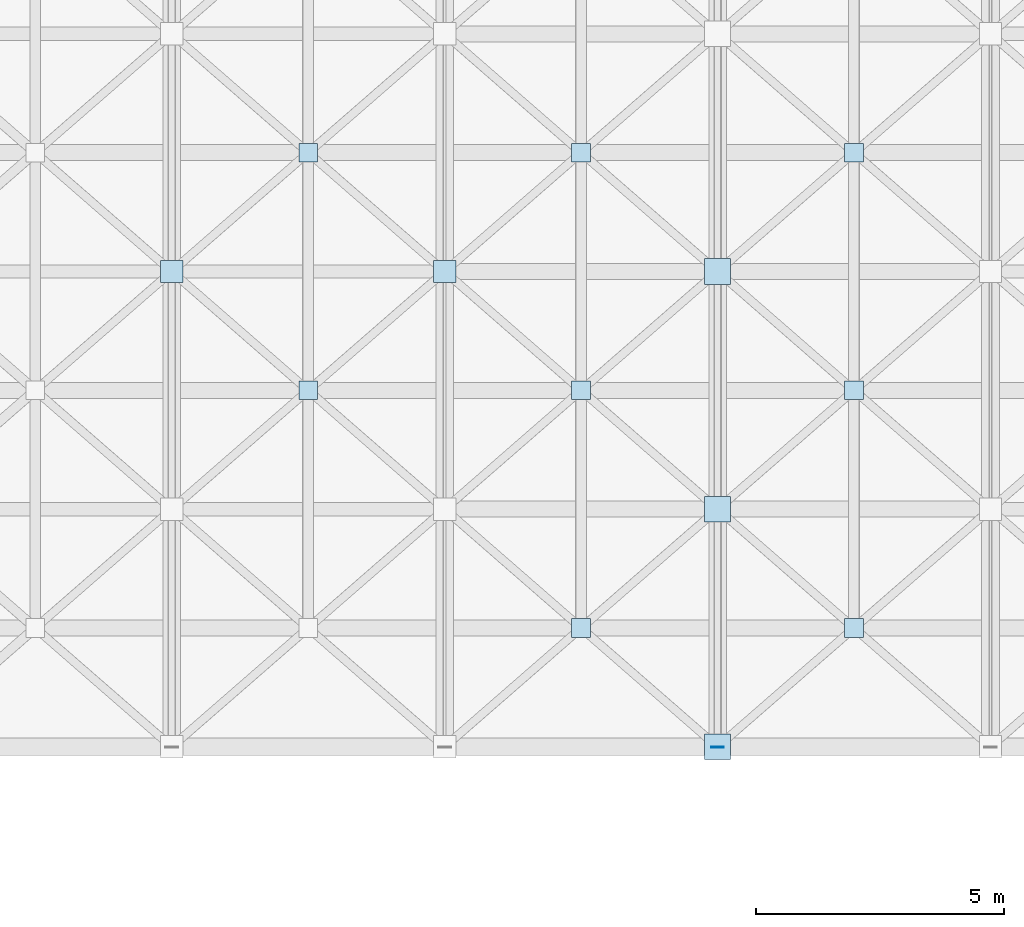
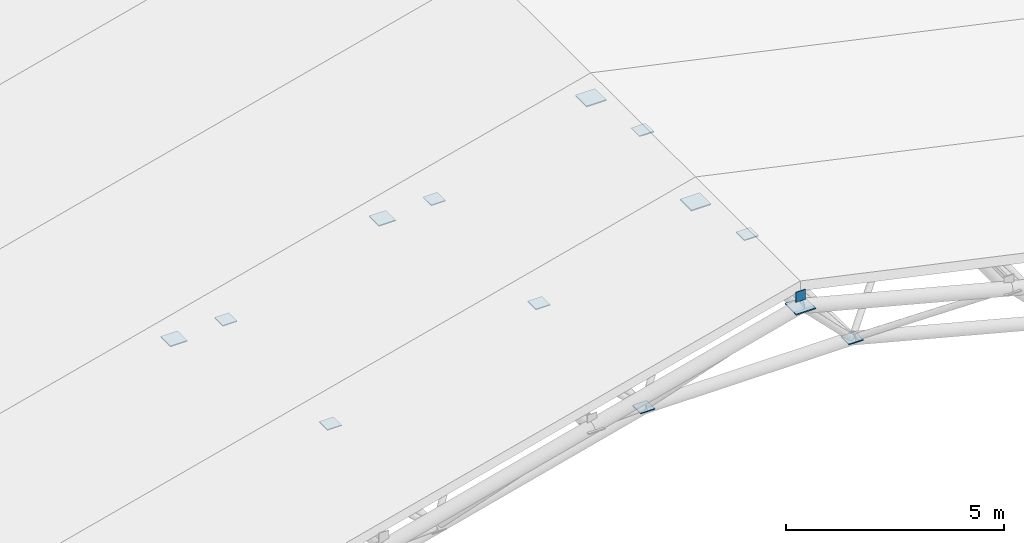
# One storey, part 44 of 60: 14 plates.
"""IFC4 building model written with IfcOpenShell, lengths in metres."""

from ifc_helpers import new_model, si_unit, direction, frame, origin, origin_2d, place, context, subcontext, project, spatial, rectangle, extrude, material, type_object, element, save


model = new_model("IFC4")

# Units and contexts
model_context = context("Model", 3, precision=1e-05, world=origin(), true_north=direction((0.0, 1.0)))
body_context = subcontext(model_context, "Body", "Model", "MODEL_VIEW")
ifc_project = project(units=[si_unit("LENGTHUNIT", "METRE"), si_unit("AREAUNIT", "SQUARE_METRE"), si_unit("VOLUMEUNIT", "CUBIC_METRE"), si_unit("PLANEANGLEUNIT", "RADIAN"), si_unit("MASSUNIT", "GRAM", prefix="KILO")], contexts=[model_context])

# Site, building, storey
site_placement = place(None, origin())
site = spatial("IfcSite", under=ifc_project, at=site_placement, CompositionType="ELEMENT")
building_placement = place(site_placement, origin())
building = spatial("IfcBuilding", under=site, at=building_placement, Name="Nakhvara Creek Congress Hotel", CompositionType="ELEMENT")
storey_placement = place(building_placement, frame((0.0, 0.0, 54.60009765625)))
storey = spatial("IfcBuildingStorey", under=building, at=storey_placement, Name="RL1", CompositionType="ELEMENT", Elevation=54.60009765625)

# Plates
ifc_material = material(Name="Steel S355J2", Category="steel")
plate_type_1 = type_object("IfcPlateType", Name="PLT-CAP-260X280X20", PredefinedType="USERDEFINED", material=ifc_material)
plate_placement = place(storey_placement, frame((31.199951171875, 33.590087890625, -29.13330078125), z_axis=(0.0, 0.0, 1.0), x_axis=(1.0, 0.0, 0.0)))
element("IfcPlate", 1, at=plate_placement, inside=storey, type_object=plate_type_1, Name="Congress Purlin End-Cap Plate SN08-05S", ObjectType="GUSSET_PLATE", PredefinedType="USERDEFINED", context=body_context, shape_type="SweptSolid", body=[
    extrude(rectangle(XDim=0.260009765625, YDim=0.02001953125, at=origin_2d()), origin(), (0.0, 0.0, 1.0), 0.280029296875),
])
plate_type_2 = type_object("IfcPlateType", Name="PLT-NODE-380X380X24", PredefinedType="USERDEFINED", material=ifc_material)
for number, where, z_axis, x_axis, name in (
    (2, (28.44384765625, 36.0, -32.6220703125), (0.0, 0.0, 1.0), (1.0, 0.0, 0.0), "Congress Roof Truss Bottom Node Plate SN-112"),
    (3, (33.956298828125, 36.0, -32.6220703125), (0.0, 0.0, 1.0), (1.0, 0.0, 0.0), "Congress Roof Truss Bottom Node Plate SN-113"),
    (4, (22.93115234375, 40.800048828125, -34.06201171875), (0.0, 0.0, 1.0), (1.0, 0.0, 0.0), "Congress Roof Truss Bottom Node Plate SN-119"),
    (5, (28.44384765625, 40.800048828125, -32.6220703125), (0.0, 0.0, 1.0), (1.0, 0.0, 0.0), "Congress Roof Truss Bottom Node Plate SN-120"),
    (6, (33.956298828125, 40.800048828125, -32.6220703125), (0.0, 0.0, 1.0), (1.0, 0.0, 0.0), "Congress Roof Truss Bottom Node Plate SN-121"),
    (7, (22.93115234375, 45.60009765625, -34.06201171875), (0.0, 0.0, 1.0), (1.0, 0.0, 0.0), "Congress Roof Truss Bottom Node Plate SN-127"),
    (8, (28.44384765625, 45.60009765625, -32.6220703125), (0.0, 0.0, 1.0), (1.0, 0.0, 0.0), "Congress Roof Truss Bottom Node Plate SN-128"),
    (9, (33.956298828125, 45.60009765625, -32.6220703125), (0.0, 0.0, 1.0), (1.0, 0.0, 0.0), "Congress Roof Truss Bottom Node Plate SN-129"),
):
    element("IfcPlate", number, at=place(storey_placement, frame(where, z_axis=z_axis, x_axis=x_axis)), inside=storey, type_object=plate_type_2, Name=name, ObjectType="GUSSET_PLATE", PredefinedType="USERDEFINED", context=body_context, shape_type="SweptSolid", body=[
        extrude(rectangle(XDim=0.3798828125, YDim=0.3798828125, at=origin_2d()), origin(), (0.0, 0.0, 1.0), 0.02392578125),
    ])
plate_type_3 = type_object("IfcPlateType", Name="PLT-NODE-450X450X28", PredefinedType="USERDEFINED", material=ifc_material)
for number, where, z_axis, x_axis, name in (
    (10, (20.175048828125, 43.199951171875, -32.18408203125), (0.0, 0.0, 1.0), (1.0, 0.0, 0.0), "Congress Roof Truss Node Plate SN-021"),
    (11, (25.6875, 43.199951171875, -30.744140625), (0.0, 0.0, 1.0), (1.0, 0.0, 0.0), "Congress Roof Truss Node Plate SN-022"),
):
    element("IfcPlate", number, at=place(storey_placement, frame(where, z_axis=z_axis, x_axis=x_axis)), inside=storey, type_object=plate_type_3, Name=name, ObjectType="GUSSET_PLATE", PredefinedType="USERDEFINED", context=body_context, shape_type="SweptSolid", body=[
        extrude(rectangle(XDim=0.449951171875, YDim=0.449951171875, at=origin_2d()), origin(), (0.0, 0.0, 1.0), 0.028076171875),
    ])
plate_type_4 = type_object("IfcPlateType", Name="PLT-NODE-520X520X32", PredefinedType="USERDEFINED", material=ifc_material)
for number, where, z_axis, x_axis, name in (
    (12, (31.199951171875, 33.60009765625, -29.30615234375), (0.0, 0.0, 1.0), (1.0, 0.0, 0.0), "Congress Roof Truss Node Plate SN-005"),
    (13, (31.199951171875, 38.39990234375, -29.30615234375), (0.0, 0.0, 1.0), (1.0, 0.0, 0.0), "Congress Roof Truss Node Plate SN-014"),
    (14, (31.199951171875, 43.199951171875, -29.30615234375), (0.0, 0.0, 1.0), (1.0, 0.0, 0.0), "Congress Roof Truss Node Plate SN-023"),
):
    element("IfcPlate", number, at=place(storey_placement, frame(where, z_axis=z_axis, x_axis=x_axis)), inside=storey, type_object=plate_type_4, Name=name, ObjectType="GUSSET_PLATE", PredefinedType="USERDEFINED", context=body_context, shape_type="SweptSolid", body=[
        extrude(rectangle(XDim=0.52001953125, YDim=0.52001953125, at=origin_2d()), origin(), (0.0, 0.0, 1.0), 0.031982421875),
    ])

save(model, "model.ifc")
